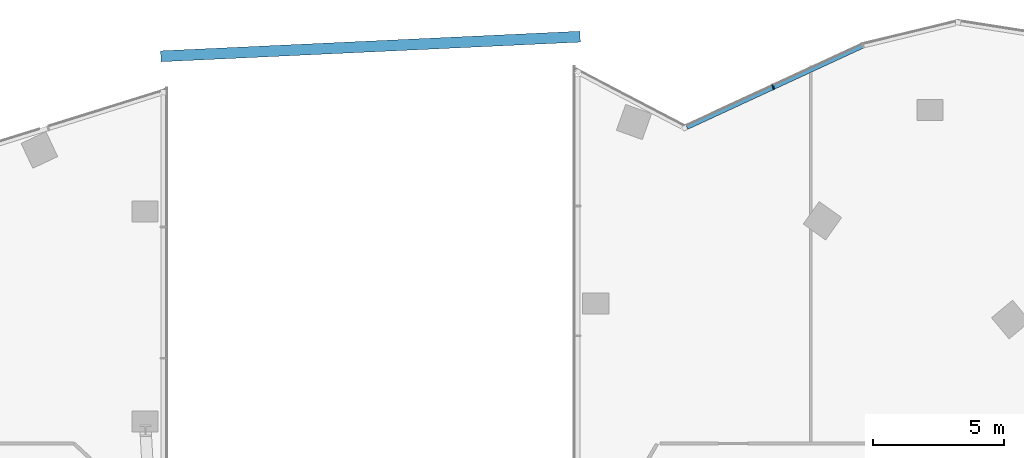
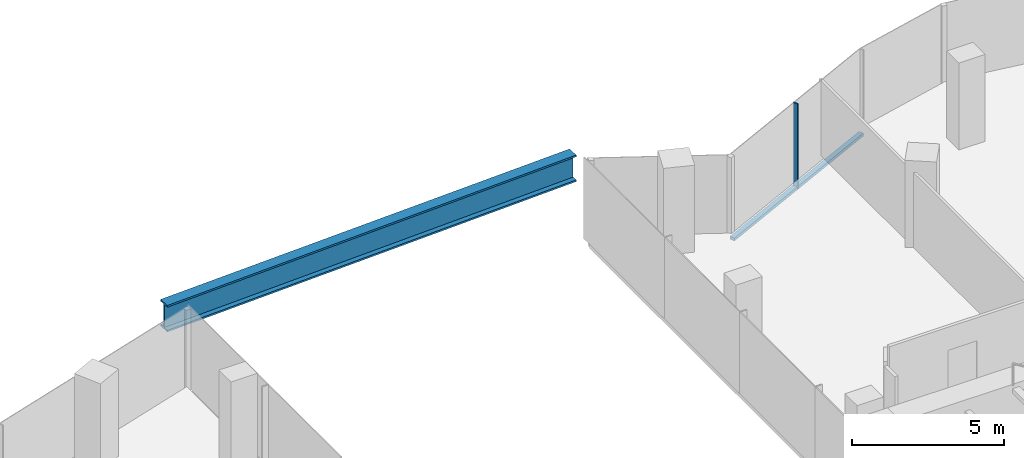
# One storey, part 12 of 24: 2 members, 1 beam, 1 element without a shape of its own.
"""IFC4 building model written with IfcOpenShell, lengths in metres."""

from ifc_helpers import new_model, si_unit, direction, frame, origin, origin_2d, place, context, subcontext, project, spatial, rectangle, i_section, extrude, material, material_profile, profile_set, type_object, element, aggregate, save


model = new_model("IFC4")

# Units and contexts
model_context = context("Model", 3, precision=1e-05, world=origin(), true_north=direction((0.0, 1.0)))
body_context = subcontext(model_context, "Body", "Model", "MODEL_VIEW")
ifc_project = project(units=[si_unit("LENGTHUNIT", "METRE"), si_unit("AREAUNIT", "SQUARE_METRE"), si_unit("VOLUMEUNIT", "CUBIC_METRE"), si_unit("PLANEANGLEUNIT", "RADIAN"), si_unit("MASSUNIT", "GRAM", prefix="KILO")], contexts=[model_context])

# Site, building, storey
site_placement = place(None, origin())
site = spatial("IfcSite", under=ifc_project, at=site_placement, CompositionType="ELEMENT")
building_placement = place(site_placement, origin())
building = spatial("IfcBuilding", under=site, at=building_placement, Name="Orlundy Tower", CompositionType="ELEMENT")
storey_placement = place(building_placement, frame((0.0, 0.0, 267.5)))
storey = spatial("IfcBuildingStorey", under=building, at=storey_placement, Name="L71", CompositionType="ELEMENT", Elevation=267.5)

# Curtain wall, members
ifc_material_1 = material(Name="Aluminium bronze anodised", Category="aluminium")
curtain_wall_type = type_object("IfcCurtainWallType", Name="CW1 wall", PredefinedType="NOTDEFINED", material=ifc_material_1)
curtain_wall_placement = place(storey_placement, origin())
curtain_wall = element("IfcCurtainWall", 1, at=curtain_wall_placement, inside=storey, type_object=curtain_wall_type, Name="CW1 run 10", PredefinedType="NOTDEFINED")
ifc_material_2 = material(Name="Aluminium bronze anodised", Category="aluminium")
ifc_material_profile_1 = material_profile(ifc_material_2, rectangle(XDim=0.179931640625, YDim=0.050048828125, at=origin_2d()), Name="CW1 mullion 50x180")
ifc_profile_set_1 = profile_set([ifc_material_profile_1], Name="Aluminium bronze anodised")
member_type_1 = type_object("IfcMemberType", Name="CW1 mullion 50x180", PredefinedType="MULLION", material=ifc_profile_set_1)
member_1_placement = place(storey_placement, frame((15.37060546875, 29.250244140625, -0.39990234375), z_axis=(0.0, 0.0, 1.0), x_axis=(-0.419975748486, 0.907535327513, 0.0)))
member_1 = element("IfcMember", 2, at=member_1_placement, type_object=member_type_1, Name="CW1 mullion 2", PredefinedType="MULLION", context=body_context, shape_type="SweptSolid", body=[
    extrude(rectangle(XDim=0.179931640625, YDim=0.050048828125, at=origin_2d()), origin(), (0.0, 0.0, 1.0), 3.449951171875),
])
ifc_material_3 = material(Name="Aluminium bronze anodised", Category="aluminium")
ifc_material_profile_2 = material_profile(ifc_material_3, rectangle(XDim=0.179931640625, YDim=0.1201171875, at=origin_2d()), Name="CW1 transom 180x120")
ifc_profile_set_2 = profile_set([ifc_material_profile_2], Name="Aluminium bronze anodised")
member_type_2 = type_object("IfcMemberType", Name="CW1 transom 180x120", PredefinedType="USERDEFINED", material=ifc_profile_set_2)
member_2_placement = place(storey_placement, frame((12.0751953125, 27.72509765625, -0.340087890625), z_axis=(0.907528083861, 0.419991401107, 0.0), x_axis=(-0.419991401107, 0.907528083861, 0.0)))
member_2 = element("IfcMember", 3, at=member_2_placement, type_object=member_type_2, Name="CW1 transom", ObjectType="TRANSOM", PredefinedType="USERDEFINED", context=body_context, shape_type="SweptSolid", body=[
    extrude(rectangle(XDim=0.179931640625, YDim=0.1201171875, at=origin_2d()), origin(), (0.0, 0.0, 1.0), 7.380859375),
])
aggregate(curtain_wall, [member_1, member_2])

# Beam
ifc_material_4 = material(Name="Steel ASTM A992 Gr 50", Category="steel")
ifc_material_profile_3 = material_profile(ifc_material_4, i_section(OverallWidth=0.41650390625, OverallDepth=1.068115234375, WebThickness=0.0390625, FlangeThickness=0.070068359375, at=origin_2d()), Name="W40X503")
ifc_profile_set_3 = profile_set([ifc_material_profile_3], Name="Steel ASTM A992 Gr 50")
beam_type = type_object("IfcBeamType", Name="PORTAL GATE beam W40X503", PredefinedType="BEAM", material=ifc_profile_set_3)
beam_placement = place(storey_placement, frame((-8.0, 30.429931640625, 1.946533203125), z_axis=(0.998906024145, 0.046762751497, 0.0), x_axis=(-0.046762751497, 0.998906024145, 0.0)))
element("IfcBeam", 4, at=beam_placement, inside=storey, type_object=beam_type, Name="Portal gate lintel N", PredefinedType="BEAM", context=body_context, shape_type="SweptSolid", body=[
    extrude(i_section(OverallWidth=0.41650390625, OverallDepth=1.068115234375, WebThickness=0.0390625, FlangeThickness=0.070068359375, at=origin_2d()), origin(), (0.0, 0.0, 1.0), 16.017578125),
])

save(model, "model.ifc")
